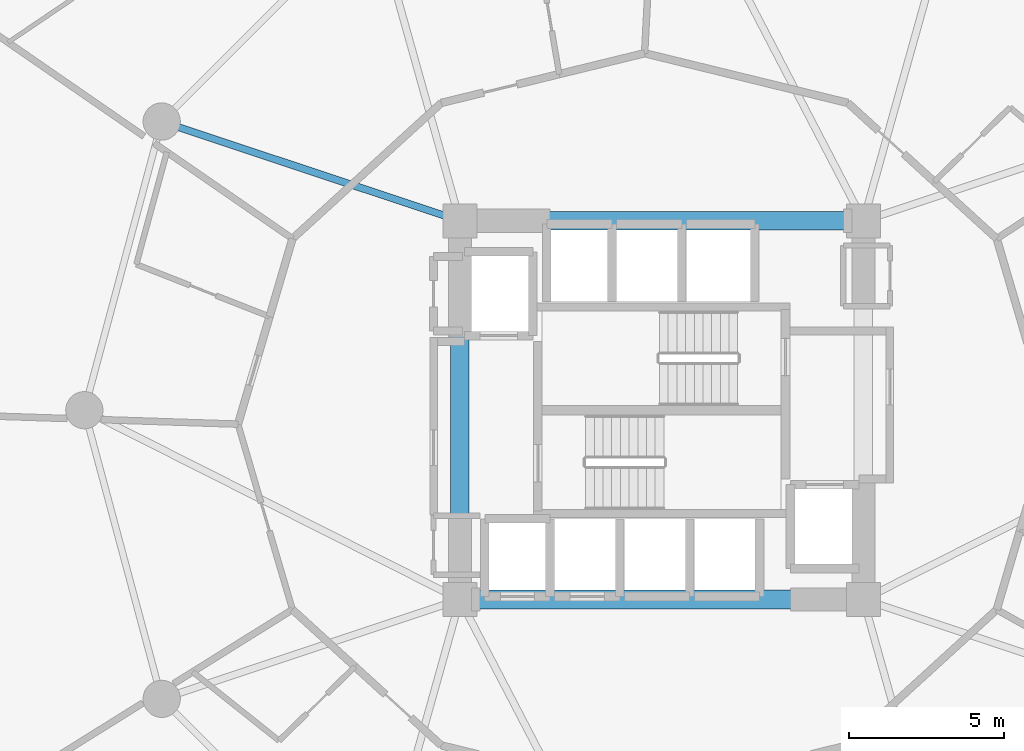
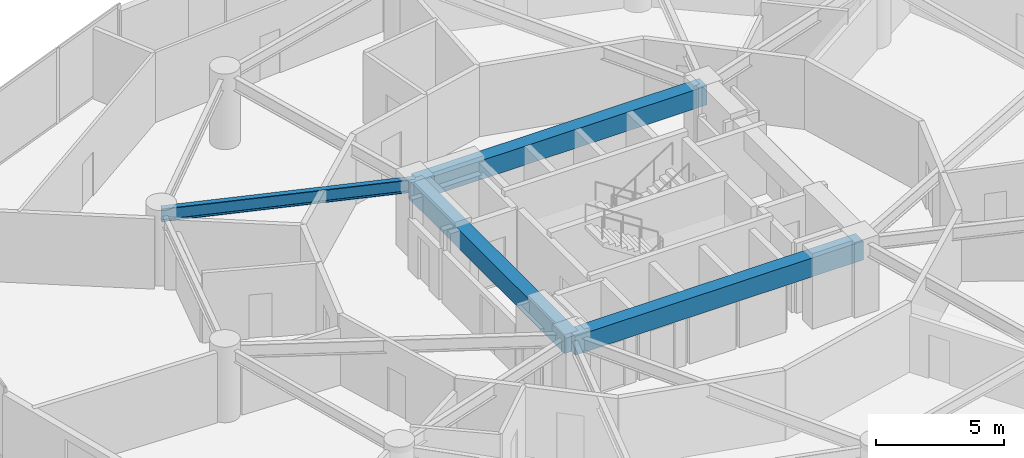
# One storey, part 9 of 26: 4 beams.
"""IFC4 building model written with IfcOpenShell, lengths in metres."""

import ifcopenshell
import ifcopenshell.guid

model = None  # the IFC model being written
_history = None  # IfcOwnerHistory: only IFC2X3 demands one
_inside = {}  # id of a spatial element -> (the spatial element, [elements in it])
_under = {}  # id of a project, library or spatial element -> (it, [spatial elements below it])
_declared = {}  # id of a project -> (the project, [libraries it declares])
_typed = {}  # id of a type object -> (the type object, [elements of that type])
_made_of = {}  # id of a material, layer set ... -> (it, [elements and type objects made of it])


def new_model(schema):
    """Start an empty IFC model of exactly this schema.

    Asked for "IFC4X3", IfcOpenShell would pick the latest addendum, in which some entities
    have other attributes; the version numbers below select the first issue.
    IFC2X3 requires an IfcOwnerHistory on every rooted entity: one is made here for all.
    """
    global model, _history
    if schema == "IFC4X3":
        model = ifcopenshell.file(schema_version=(4, 3, 0, 0))
    else:
        model = ifcopenshell.file(schema=schema)
    _inside.clear()
    _under.clear()
    _declared.clear()
    _typed.clear()
    _made_of.clear()
    _history = None
    if model.schema == "IFC2X3":
        org = make("IfcOrganization", Name="unknown")
        user = make(
            "IfcPersonAndOrganization",
            ThePerson=make("IfcPerson", FamilyName="unknown"),
            TheOrganization=org,
        )
        app = make(
            "IfcApplication",
            ApplicationDeveloper=org,
            Version="unknown",
            ApplicationFullName="unknown",
            ApplicationIdentifier="unknown",
        )
        _history = make(
            "IfcOwnerHistory",
            OwningUser=user,
            OwningApplication=app,
            ChangeAction="ADDED",
            CreationDate=0,
        )
    return model


def make(cls, **values):
    """One entity of the class cls with the attributes given. An attribute that is None is left unset."""
    return model.create_entity(
        cls, **{name: value for name, value in values.items() if value is not None}
    )


def rooted(cls, **values):
    """An entity with a GlobalId (a new one), such as an element, a storey or a relation."""
    return make(cls, GlobalId=ifcopenshell.guid.new(), OwnerHistory=_history, **values)


def si_unit(unit_type, name, prefix=None):
    """IfcSIUnit, for example si_unit("LENGTHUNIT", "METRE", prefix="MILLI")."""
    return make("IfcSIUnit", UnitType=unit_type, Prefix=prefix, Name=name)


def assignment(units):
    """IfcUnitAssignment: the units of a project."""
    return None if units is None else make("IfcUnitAssignment", Units=units)


def point(xyz):
    """IfcCartesianPoint."""
    return None if xyz is None else make("IfcCartesianPoint", Coordinates=xyz)


def direction(xyz):
    """IfcDirection."""
    return None if xyz is None else make("IfcDirection", DirectionRatios=xyz)


def frame(location, z_axis=None, x_axis=None):
    """IfcAxis2Placement3D, a coordinate frame: its origin and axes. An axis left out is left unset."""
    return make(
        "IfcAxis2Placement3D",
        Location=point(location),
        Axis=direction(z_axis),
        RefDirection=direction(x_axis),
    )


def frame_2d(location, x_axis=None):
    """IfcAxis2Placement2D, a coordinate frame in the plane: its origin and x axis."""
    return make(
        "IfcAxis2Placement2D", Location=point(location), RefDirection=direction(x_axis)
    )


def origin():
    """The frame at (0, 0, 0) with its axes left unset."""
    return frame((0.0, 0.0, 0.0))


def origin_2d():
    """The frame at (0, 0) in the plane with its x axis left unset."""
    return frame_2d((0.0, 0.0))


def place(relative_to, where):
    """IfcLocalPlacement: puts the frame where relative to a parent placement (None: the world)."""
    return make(
        "IfcLocalPlacement", PlacementRelTo=relative_to, RelativePlacement=where
    )


def context(
    kind, dimensions, precision=None, world=None, true_north=None, identifier=None
):
    """IfcGeometricRepresentationContext, for example the 3D "Model" context."""
    return make(
        "IfcGeometricRepresentationContext",
        ContextIdentifier=identifier,
        ContextType=kind,
        CoordinateSpaceDimension=dimensions,
        Precision=precision,
        WorldCoordinateSystem=world,
        TrueNorth=true_north,
    )


def subcontext(parent, identifier, kind, view, scale=None):
    """IfcGeometricRepresentationSubContext, for example "Body" below "Model"."""
    return make(
        "IfcGeometricRepresentationSubContext",
        ContextIdentifier=identifier,
        ContextType=kind,
        ParentContext=parent,
        TargetScale=scale,
        TargetView=view,
    )


def project(units=None, contexts=None):
    """IfcProject with its units and contexts."""
    return rooted(
        "IfcProject",
        Name="project",
        RepresentationContexts=contexts,
        UnitsInContext=assignment(units),
    )


def spatial(cls, under=None, at=None, **own):
    """A site, building, storey or space (cls), placed at a placement, below another one or the project."""
    s = rooted(cls, ObjectPlacement=at, **own)
    if under is not None:
        _under.setdefault(under.id(), (under, []))[1].append(s)
    return s


def profile(cls, at=None, kind="AREA", **sizes):
    """A parametric profile (cls). Its sizes go by their IFC names, for example OverallWidth=200.0."""
    return make(cls, ProfileType=kind, Position=at, **sizes)


def rectangle(**sizes):
    """IfcRectangleProfileDef."""
    return profile("IfcRectangleProfileDef", **sizes)


def i_section(**sizes):
    """IfcIShapeProfileDef."""
    return profile("IfcIShapeProfileDef", **sizes)


def extrude(swept, where, along, depth):
    """IfcExtrudedAreaSolid: the profile swept, set in the frame where, extruded along a direction by depth."""
    return make(
        "IfcExtrudedAreaSolid",
        SweptArea=swept,
        Position=where,
        ExtrudedDirection=direction(along),
        Depth=depth,
    )


def shape(context_of_items, identifier, shape_type, items):
    """IfcShapeRepresentation: the items that make up one representation, for example the "Body"."""
    return make(
        "IfcShapeRepresentation",
        ContextOfItems=context_of_items,
        RepresentationIdentifier=identifier,
        RepresentationType=shape_type,
        Items=items,
    )


def material(Name=None, Category=None):
    """IfcMaterial."""
    return make("IfcMaterial", Name=Name, Category=Category)


def material_profile(
    of_material, cross_section, Name=None, Category=None, Priority=None
):
    """IfcMaterialProfile: a cross section and its material."""
    return make(
        "IfcMaterialProfile",
        Name=Name,
        Material=of_material,
        Profile=cross_section,
        Priority=Priority,
        Category=Category,
    )


def profile_set(profiles, Name=None, composite=None):
    """IfcMaterialProfileSet."""
    return make(
        "IfcMaterialProfileSet",
        Name=Name,
        MaterialProfiles=profiles,
        CompositeProfile=composite,
    )


def made_of(thing, what):
    """Note that an element or type object is made of a material, layer set ...; save() writes the relation."""
    if what is not None:
        _made_of.setdefault(what.id(), (what, []))[1].append(thing)
    return thing


def type_object(cls, material=None, **own):
    """A type object (cls), such as IfcWallType, which elements share."""
    return made_of(rooted(cls, **own), material)


def element(
    cls,
    number,
    at=None,
    inside=None,
    cuts=None,
    type_object=None,
    material=None,
    context=None,
    identifier="Body",
    shape_type=None,
    held_by="IfcProductDefinitionShape",
    body=None,
    shapes=None,
    **own,
):
    """One element of the class cls, such as IfcWall. Its Tag is "e" and its number.

    at: its placement. inside: the storey or other place that contains it. cuts: it is an
    opening in that element (IfcRelVoidsElement). A single representation is given by context,
    identifier, shape_type and body (its items); several are given by shapes. held_by: the class
    of the entity that holds the representations. save() writes the other relations.
    """
    e = rooted(cls, Tag="e%d" % number, ObjectPlacement=at, **own)
    if body is not None:
        shapes = [shape(context, identifier, shape_type, body)]
    if shapes is not None:
        e.Representation = make(held_by, Representations=shapes)
    if inside is not None:
        _inside.setdefault(inside.id(), (inside, []))[1].append(e)
    if cuts is not None:
        rooted(
            "IfcRelVoidsElement", RelatingBuildingElement=cuts, RelatedOpeningElement=e
        )
    if type_object is not None:
        _typed.setdefault(type_object.id(), (type_object, []))[1].append(e)
    return made_of(e, material)


def aggregate(whole, parts):
    """IfcRelAggregates: a whole, such as a stair, and the parts it consists of."""
    return rooted("IfcRelAggregates", RelatingObject=whole, RelatedObjects=parts)


def save(model, path):
    """Write the relations noted so far, then the file.

    IfcRelAggregates (storeys below a building ...), IfcRelContainedInSpatialStructure (elements
    in a storey), IfcRelDefinesByType, IfcRelAssociatesMaterial and IfcRelDeclares: one each for
    every whole, place, type object, material and project.
    """
    for whole, parts in _under.values():
        aggregate(whole, parts)
    for where, things in _inside.values():
        rooted(
            "IfcRelContainedInSpatialStructure",
            RelatedElements=things,
            RelatingStructure=where,
        )
    for kind, things in _typed.values():
        rooted("IfcRelDefinesByType", RelatedObjects=things, RelatingType=kind)
    for what, things in _made_of.values():
        rooted("IfcRelAssociatesMaterial", RelatedObjects=things, RelatingMaterial=what)
    for by, libraries in _declared.values():
        rooted("IfcRelDeclares", RelatingContext=by, RelatedDefinitions=libraries)
    model.write(path)


model = new_model("IFC4")

# Units and contexts
model_context = context("Model", 3, precision=1e-05, world=origin(), true_north=direction((0.0, 1.0)))
body_context = subcontext(model_context, "Body", "Model", "MODEL_VIEW")
ifc_project = project(units=[si_unit("LENGTHUNIT", "METRE"), si_unit("AREAUNIT", "SQUARE_METRE"), si_unit("VOLUMEUNIT", "CUBIC_METRE"), si_unit("PLANEANGLEUNIT", "RADIAN"), si_unit("MASSUNIT", "GRAM", prefix="KILO")], contexts=[model_context])

# Site, building, storey
site_placement = place(None, origin())
site = spatial("IfcSite", under=ifc_project, at=site_placement, CompositionType="ELEMENT")
building_placement = place(site_placement, origin())
building = spatial("IfcBuilding", under=site, at=building_placement, Name="Solvirekh Grand Hotel", CompositionType="ELEMENT")
storey_placement = place(building_placement, frame((0.0, 0.0, 68.0)))
storey = spatial("IfcBuildingStorey", under=building, at=storey_placement, Name="L16", CompositionType="ELEMENT", Elevation=68.0)

# Beams
ifc_material_1 = material(Name="Concrete C50/60", Category="concrete")
ifc_material_profile_1 = material_profile(ifc_material_1, rectangle(XDim=0.60009765625, YDim=0.89990234375, at=origin_2d()), Name="RC BEAM 600X900")
ifc_profile_set_1 = profile_set([ifc_material_profile_1], Name="Concrete C50/60")
beam_type_1 = type_object("IfcBeamType", Name="Beam_Core_RC900", PredefinedType="BEAM", material=ifc_profile_set_1)
for number, where, z_axis, x_axis, name in (
    (1, (-6.5, -6.10009765625, 2.889892578125), (1.0, 0.0, 0.0), (0.0, 1.0, 0.0), "L16 core coupling ring beam 1"),
    (2, (6.5, 6.10009765625, 2.889892578125), (-1.0, 0.0, 0.0), (0.0, -1.0, 0.0), "L16 core coupling ring beam 3"),
):
    element("IfcBeam", number, at=place(storey_placement, frame(where, z_axis=z_axis, x_axis=x_axis)), inside=storey, type_object=beam_type_1, Name=name, PredefinedType="BEAM", context=body_context, shape_type="SweptSolid", body=[
        extrude(rectangle(XDim=0.60009765625, YDim=0.89990234375, at=origin_2d()), origin(), (0.0, 0.0, 1.0), 13.0),
    ])
beam_1_placement = place(storey_placement, frame((-6.5, 6.10009765625, 2.889892578125), z_axis=(0.0, -1.0, 0.0), x_axis=(1.0, 0.0, 0.0)))
element("IfcBeam", 3, at=beam_1_placement, inside=storey, type_object=beam_type_1, Name="L16 core coupling ring beam 4", PredefinedType="BEAM", context=body_context, shape_type="SweptSolid", body=[
    extrude(rectangle(XDim=0.60009765625, YDim=0.89990234375, at=origin_2d()), origin(), (0.0, 0.0, 1.0), 12.2001953125),
])
ifc_material_2 = material(Name="Steel S355", Category="steel")
ifc_material_profile_2 = material_profile(ifc_material_2, i_section(OverallWidth=0.22998046875, OverallDepth=0.615966796875, WebThickness=0.013916015625, FlangeThickness=0.02392578125, FilletRadius=0.014892578125, at=origin_2d()), Name="W610X174")
ifc_profile_set_2 = profile_set([ifc_material_profile_2], Name="Steel S355")
beam_type_2 = type_object("IfcBeamType", Name="Beam_Primary_W610H", PredefinedType="BEAM", material=ifc_profile_set_2)
beam_2_placement = place(storey_placement, frame((-6.5, 6.10009765625, 3.031982421875), z_axis=(-0.948762825819, 0.315989082635, 0.0), x_axis=(-0.315989082635, -0.948762825819, 0.0)))
element("IfcBeam", 4, at=beam_2_placement, inside=storey, type_object=beam_type_2, Name="L16 radial floor beam R06", PredefinedType="BEAM", context=body_context, shape_type="SweptSolid", body=[
    extrude(i_section(OverallWidth=0.22998046875, OverallDepth=0.615966796875, WebThickness=0.013916015625, FlangeThickness=0.02392578125, FilletRadius=0.014892578125, at=origin_2d()), origin(), (0.0, 0.0, 1.0), 10.126708984375),
])

save(model, "model.ifc")
